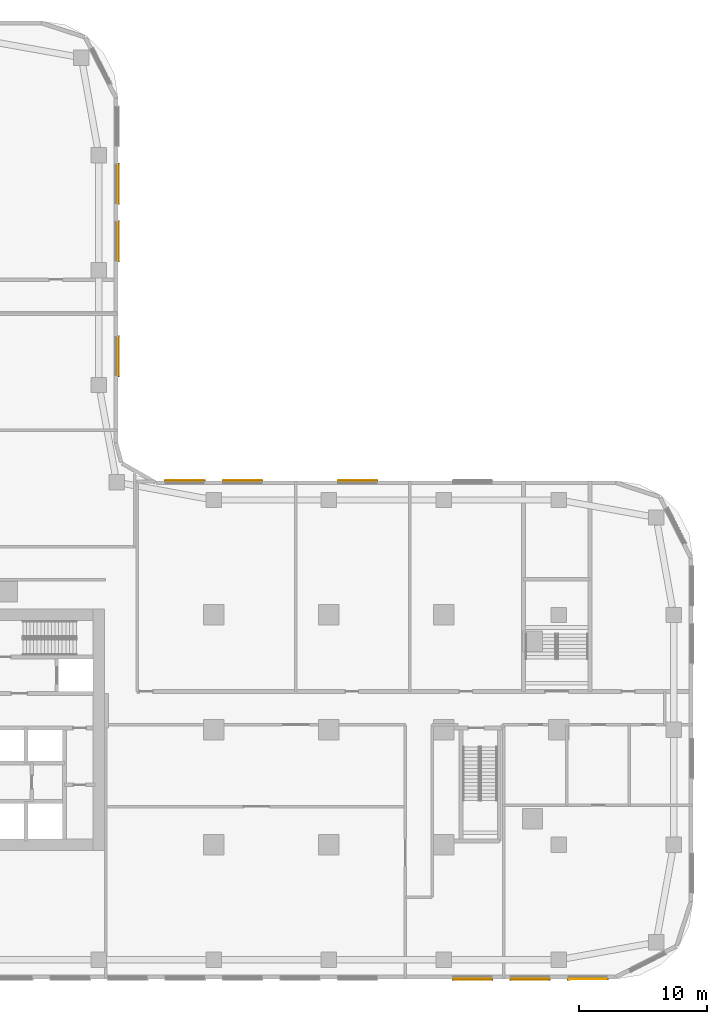
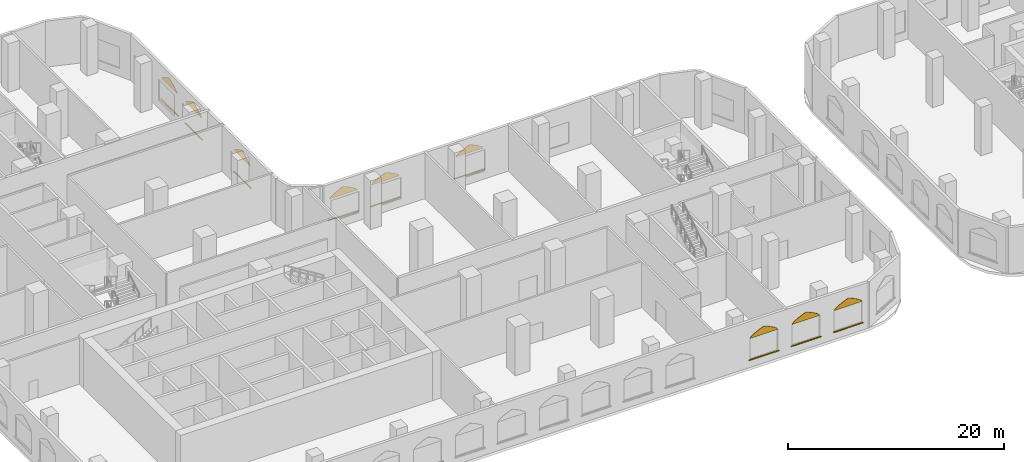
# One storey, part 25 of 31: 18 coverings.
"""IFC4 building model written with IfcOpenShell, lengths in metres."""

from ifc_helpers import new_model, si_unit, direction, frame, origin, origin_2d, place, context, subcontext, project, spatial, polyline, rectangle, outline, extrude, material, layer, layer_set, type_object, element, save


model = new_model("IFC4")

# Units and contexts
model_context = context("Model", 3, precision=1e-05, world=origin(), true_north=direction((0.0, 1.0)))
body_context = subcontext(model_context, "Body", "Model", "MODEL_VIEW")
ifc_project = project(units=[si_unit("LENGTHUNIT", "METRE"), si_unit("AREAUNIT", "SQUARE_METRE"), si_unit("VOLUMEUNIT", "CUBIC_METRE"), si_unit("PLANEANGLEUNIT", "RADIAN"), si_unit("MASSUNIT", "GRAM", prefix="KILO")], contexts=[model_context])

# Site, building, storey
site_placement = place(None, origin())
site = spatial("IfcSite", under=ifc_project, at=site_placement, CompositionType="ELEMENT")
building_placement = place(site_placement, origin())
building = spatial("IfcBuilding", under=site, at=building_placement, Name="Ogive Portal Towers", CompositionType="ELEMENT")
storey_placement = place(building_placement, frame((0.0, 0.0, 8.0)))
storey = spatial("IfcBuildingStorey", under=building, at=storey_placement, Name="L01", CompositionType="ELEMENT", Elevation=8.0)

# Coverings
ifc_material = material(Name="Limestone cladding on lightweight block wall", Category="masonry")
ifc_layer_1 = layer(ifc_material, 0.0400390625)
ifc_layer_set_1 = layer_set([ifc_layer_1], Name="LANCET HEAD STONE")
covering_type_1 = type_object("IfcCoveringType", Name="LANCET HEAD STONE", PredefinedType="CLADDING", material=ifc_layer_set_1)
for number, where, z_axis, x_axis, name in (
    (1, (86.25, 11.0, 3.300048828125), (0.0, 0.999950056531, 0.009994220538), (1.0, 0.0, 0.0), "Lancet head"),
    (2, (90.75, 11.0, 3.300048828125), (0.0, 0.999950056531, 0.009994220538), (1.0, 0.0, 0.0), "Lancet head"),
):
    element("IfcCovering", number, at=place(storey_placement, frame(where, z_axis=z_axis, x_axis=x_axis)), inside=storey, type_object=covering_type_1, Name=name, PredefinedType="CLADDING", context=body_context, shape_type="SweptSolid", body=[
        extrude(outline(polyline([(0.0, 0.0), (3.0, 0.0), (2.93359375, -0.11255540702230543), (2.8125, -0.22486424561759202), (2.655517578125, -0.3374196526398974), (2.4697265625, -0.4499726196669543), (2.2587890625, -0.5625280266892596), (2.025634765625, -0.6750834337115651), (1.772216796875, -0.7873922723068517), (1.5, -0.8999476793291572), (1.227783203125, -0.7873922723068517), (0.974365234375, -0.6750834337115651), (0.7412109375, -0.5625280266892596), (0.5302734375, -0.4499726196669543), (0.344482421875, -0.3374196526398974), (0.1875, -0.22486424561759202), (0.06640625, -0.11255540702230543), (0.0, 0.0)])), origin(), (0.0, 0.0, -1.0), 0.0400390625),
    ])
covering_1_placement = place(storey_placement, frame((95.273681640625, 11.0, 3.300048828125), z_axis=(0.0, 0.99995005646, 0.009994227635), x_axis=(1.0, 0.0, 0.0)))
element("IfcCovering", 3, at=covering_1_placement, inside=storey, type_object=covering_type_1, Name="Lancet head", PredefinedType="CLADDING", context=body_context, shape_type="SweptSolid", body=[
    extrude(outline(polyline([(0.0, 0.0), (3.0, 0.0), (2.933837890625, -0.11255540702298532), (2.8125, -0.22486424561723664), (2.655517578125, -0.33741965264022195), (2.4697265625, -0.44997261966622615), (2.259033203125, -0.5625280266892115), (2.02587890625, -0.6750834337121968), (1.7724609375, -0.7873922723064481), (1.5, -0.8999476793294334), (1.227783203125, -0.7873922723064481), (0.974365234375, -0.6750834337121968), (0.7412109375, -0.5625280266892115), (0.530517578125, -0.44997261966622615), (0.344482421875, -0.33741965264022195), (0.1875, -0.22486424561723664), (0.06640625, -0.11255540702298532), (0.0, 0.0)])), origin(), (0.0, 0.0, -1.0), 0.0400390625),
])
for number, where, z_axis, x_axis, name in (
    (4, (80.25, 50.0, 3.300048828125), (0.0, -0.999950056531, 0.009994220538), (-1.0, 0.0, 0.0), "Lancet head"),
    (5, (71.25, 50.0, 3.300048828125), (0.0, -0.999950056531, 0.009994220538), (-1.0, 0.0, 0.0), "Lancet head"),
):
    element("IfcCovering", number, at=place(storey_placement, frame(where, z_axis=z_axis, x_axis=x_axis)), inside=storey, type_object=covering_type_1, Name=name, PredefinedType="CLADDING", context=body_context, shape_type="SweptSolid", body=[
        extrude(outline(polyline([(0.0, 0.0), (3.0, 0.0), (2.93359375, -0.11255540702230543), (2.8125, -0.22486424561759202), (2.655517578125, -0.3374196526398974), (2.4697265625, -0.4499726196669543), (2.2587890625, -0.5625280266892596), (2.025634765625, -0.6750834337115651), (1.772216796875, -0.7873922723068517), (1.5, -0.8999476793291572), (1.227783203125, -0.7873922723068517), (0.974365234375, -0.6750834337115651), (0.7412109375, -0.5625280266892596), (0.5302734375, -0.4499726196669543), (0.344482421875, -0.3374196526398974), (0.1875, -0.22486424561759202), (0.06640625, -0.11255540702230543), (0.0, 0.0)])), origin(), (0.0, 0.0, -1.0), 0.0400390625),
    ])
covering_2_placement = place(storey_placement, frame((66.726318359375, 50.0, 3.300048828125), z_axis=(0.0, -0.99995005646, 0.009994227635), x_axis=(-1.0, 0.0, 0.0)))
element("IfcCovering", 6, at=covering_2_placement, inside=storey, type_object=covering_type_1, Name="Lancet head", PredefinedType="CLADDING", context=body_context, shape_type="SweptSolid", body=[
    extrude(outline(polyline([(0.0, 0.0), (3.0, 0.0), (2.933837890625, -0.11255540702298532), (2.8125, -0.22486424561723664), (2.655517578125, -0.33741965264022195), (2.4697265625, -0.44997261966622615), (2.259033203125, -0.5625280266892115), (2.02587890625, -0.6750834337121968), (1.7724609375, -0.7873922723064481), (1.5, -0.8999476793294334), (1.227783203125, -0.7873922723064481), (0.974365234375, -0.6750834337121968), (0.7412109375, -0.5625280266892115), (0.530517578125, -0.44997261966622615), (0.344482421875, -0.33741965264022195), (0.1875, -0.22486424561723664), (0.06640625, -0.11255540702298532), (0.0, 0.0)])), origin(), (0.0, 0.0, -1.0), 0.0400390625),
])
for number, where, z_axis, x_axis, name in (
    (7, (60.0, 58.25, 3.300048828125), (-0.999950056531, 0.0, 0.009994220538), (0.0, 1.0, 0.0), "Lancet head"),
    (8, (60.0, 67.25, 3.300048828125), (-0.999950056531, 0.0, 0.009994220538), (0.0, 1.0, 0.0), "Lancet head"),
    (9, (60.0, 71.75, 3.300048828125), (-0.999950056531, 0.0, 0.009994220538), (0.0, 1.0, 0.0), "Lancet head"),
):
    element("IfcCovering", number, at=place(storey_placement, frame(where, z_axis=z_axis, x_axis=x_axis)), inside=storey, type_object=covering_type_1, Name=name, PredefinedType="CLADDING", context=body_context, shape_type="SweptSolid", body=[
        extrude(outline(polyline([(0.0, 0.0), (3.0, 0.0), (2.93359375, -0.11255540702230543), (2.8125, -0.22486424561759202), (2.655517578125, -0.3374196526398974), (2.4697265625, -0.4499726196669543), (2.2587890625, -0.5625280266892596), (2.025634765625, -0.6750834337115651), (1.772216796875, -0.7873922723068517), (1.5, -0.8999476793291572), (1.227783203125, -0.7873922723068517), (0.974365234375, -0.6750834337115651), (0.7412109375, -0.5625280266892596), (0.5302734375, -0.4499726196669543), (0.344482421875, -0.3374196526398974), (0.1875, -0.22486424561759202), (0.06640625, -0.11255540702230543), (0.0, 0.0)])), origin(), (0.0, 0.0, -1.0), 0.0400390625),
    ])
ifc_layer_2 = layer(ifc_material, 0.080078125)
ifc_layer_set_2 = layer_set([ifc_layer_2], Name="STONE SILL 80")
covering_type_2 = type_object("IfcCoveringType", Name="STONE SILL 80", PredefinedType="CLADDING", material=ifc_layer_set_2)
for number, where, z_axis, x_axis, name in (
    (10, (87.75, 10.9599609375, 0.840087890625), (0.0, 0.0, 1.0), (1.0, 0.0, 0.0), "Stone sill"),
    (11, (92.25, 10.9599609375, 0.840087890625), (0.0, 0.0, 1.0), (1.0, 0.0, 0.0), "Stone sill"),
    (12, (96.773681640625, 10.9599609375, 0.840087890625), (0.0, 0.0, 1.0), (1.0, 0.0, 0.0), "Stone sill"),
    (13, (78.75, 50.0400390625, 0.840087890625), (0.0, 0.0, 1.0), (-1.0, 0.0, 0.0), "Stone sill"),
    (14, (69.75, 50.0400390625, 0.840087890625), (0.0, 0.0, 1.0), (-1.0, 0.0, 0.0), "Stone sill"),
    (15, (65.226318359375, 50.0400390625, 0.840087890625), (0.0, 0.0, 1.0), (-1.0, 0.0, 0.0), "Stone sill"),
    (16, (60.0400390625, 59.75, 0.840087890625), (0.0, 0.0, 1.0), (0.0, 1.0, 0.0), "Stone sill"),
    (17, (60.0400390625, 68.75, 0.840087890625), (0.0, 0.0, 1.0), (0.0, 1.0, 0.0), "Stone sill"),
    (18, (60.0400390625, 73.25, 0.840087890625), (0.0, 0.0, 1.0), (0.0, 1.0, 0.0), "Stone sill"),
):
    element("IfcCovering", number, at=place(storey_placement, frame(where, z_axis=z_axis, x_axis=x_axis)), inside=storey, type_object=covering_type_2, Name=name, PredefinedType="CLADDING", context=body_context, shape_type="SweptSolid", body=[
        extrude(rectangle(XDim=3.199951171875, YDim=0.080078125, at=origin_2d()), origin(), (0.0, 0.0, 1.0), 0.06005859375),
    ])

save(model, "model.ifc")
